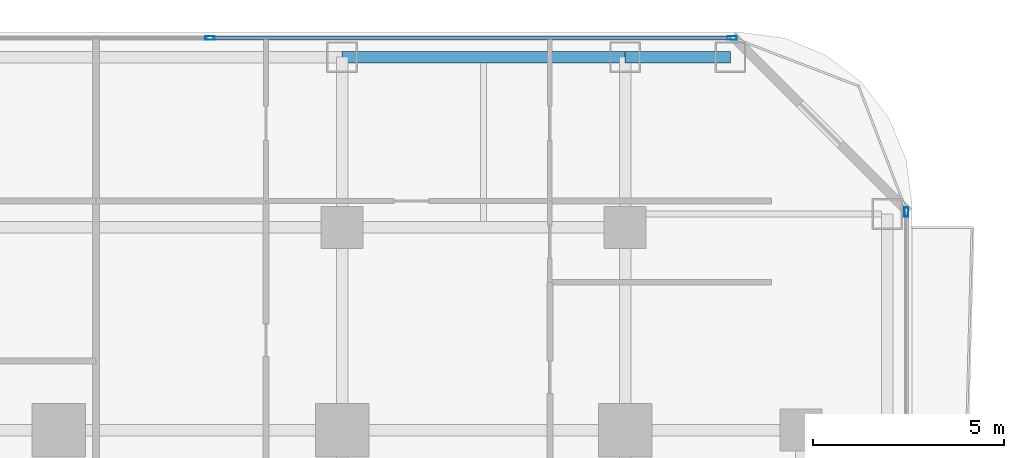
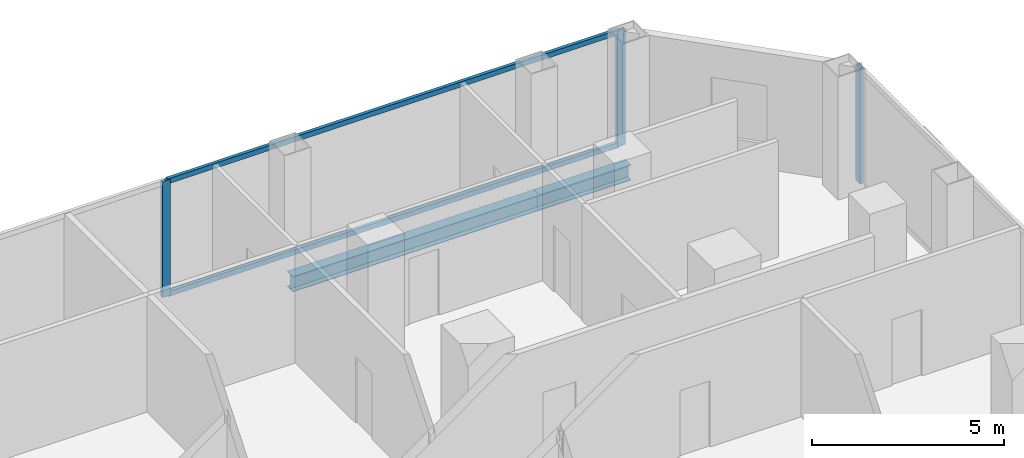
# One storey, part 17 of 30: 5 members, 2 beams, 2 elements without a shape of their own.
"""IFC4 building model written with IfcOpenShell, lengths in metres."""

from ifc_helpers import new_model, si_unit, direction, frame, origin, origin_2d, place, context, subcontext, project, spatial, hollow_rectangle, i_section, extrude, material, layer, layer_set, material_profile, profile_set, type_object, element, aggregate, save


model = new_model("IFC4")

# Units and contexts
model_context = context("Model", 3, precision=1e-05, world=origin(), true_north=direction((0.0, 1.0)))
body_context = subcontext(model_context, "Body", "Model", "MODEL_VIEW")
ifc_project = project(units=[si_unit("LENGTHUNIT", "METRE"), si_unit("AREAUNIT", "SQUARE_METRE"), si_unit("VOLUMEUNIT", "CUBIC_METRE"), si_unit("PLANEANGLEUNIT", "RADIAN"), si_unit("MASSUNIT", "GRAM", prefix="KILO")], contexts=[model_context])

# Site, building, storey
site_placement = place(None, origin())
site = spatial("IfcSite", under=ifc_project, at=site_placement, CompositionType="ELEMENT")
building_placement = place(site_placement, origin())
building = spatial("IfcBuilding", under=site, at=building_placement, Name="Khorvyn Point Tower", CompositionType="ELEMENT")
storey_placement = place(building_placement, frame((0.0, 0.0, 57.89990234375)))
storey = spatial("IfcBuildingStorey", under=building, at=storey_placement, Name="L15", CompositionType="ELEMENT", Elevation=57.89990234375)

# Curtain wall, members
ifc_material_1 = material(Name="Anodised aluminium 6063-T6 and laminated Low-E glass", Category="aluminium")
ifc_layer = layer(ifc_material_1, 0.18994140625)
ifc_layer_set = layer_set([ifc_layer], Name="Stick-Built Finned Residential Curtain Wall CW-SYS-02")
curtain_wall_type = type_object("IfcCurtainWallType", Name="Stick-Built Finned Residential Curtain Wall CW-SYS-02", PredefinedType="NOTDEFINED", material=ifc_layer_set)
curtain_wall_1_placement = place(storey_placement, origin())
curtain_wall_1 = element("IfcCurtainWall", 1, at=curtain_wall_1_placement, inside=storey, type_object=curtain_wall_type, Name="Curtain Wall", PredefinedType="NOTDEFINED")
ifc_material_2 = material(Name="Anodised aluminium 6063-T6", Category="aluminium")
ifc_material_profile_1 = material_profile(ifc_material_2, hollow_rectangle(XDim=0.10009765625, YDim=0.239990234375, WallThickness=0.0048828125, at=origin_2d()))
ifc_profile_set_1 = profile_set([ifc_material_profile_1], Name="Anodised aluminium 6063-T6 ALU-MUL-100x240")
member_type_1 = type_object("IfcMemberType", Name="Anodised Aluminium 6063-T6 Mullion ALU-MUL-100x240", PredefinedType="MULLION", material=ifc_profile_set_1)
member_1_placement = place(storey_placement, frame((3.949951171875, 25.050048828125, 0.0), z_axis=(0.0, 0.0, 1.0), x_axis=(0.0, 1.0, 0.0)))
member_1 = element("IfcMember", 2, at=member_1_placement, type_object=member_type_1, Name="Transom", PredefinedType="MULLION", context=body_context, shape_type="SweptSolid", body=[
    extrude(hollow_rectangle(XDim=0.10009765625, YDim=0.239990234375, WallThickness=0.0048828125, at=origin_2d()), origin(), (0.0, 0.0, 1.0), 3.68017578125),
])
member_2_placement = place(storey_placement, frame((17.60009765625, 25.050048828125, 0.0), z_axis=(0.0, 0.0, 1.0), x_axis=(0.0, 1.0, 0.0)))
member_2 = element("IfcMember", 3, at=member_2_placement, type_object=member_type_1, Name="Transom", PredefinedType="MULLION", context=body_context, shape_type="SweptSolid", body=[
    extrude(hollow_rectangle(XDim=0.10009765625, YDim=0.239990234375, WallThickness=0.0048828125, at=origin_2d()), origin(), (0.0, 0.0, 1.0), 3.68017578125),
])

# Curtain wall, member
curtain_wall_2_placement = place(storey_placement, origin())
curtain_wall_2 = element("IfcCurtainWall", 4, at=curtain_wall_2_placement, inside=storey, type_object=curtain_wall_type, Name="Curtain Wall", PredefinedType="NOTDEFINED")
member_3_placement = place(storey_placement, frame((22.14990234375, 20.5, 0.0), z_axis=(0.0, 0.0, 1.0), x_axis=(1.0, 0.0, 0.0)))
member_3 = element("IfcMember", 5, at=member_3_placement, type_object=member_type_1, Name="Transom", PredefinedType="MULLION", context=body_context, shape_type="SweptSolid", body=[
    extrude(hollow_rectangle(XDim=0.10009765625, YDim=0.239990234375, WallThickness=0.0048828125, at=origin_2d()), origin(), (0.0, 0.0, 1.0), 3.68017578125),
])
aggregate(curtain_wall_2, [member_3])

# Member
ifc_material_profile_2 = material_profile(ifc_material_2, hollow_rectangle(XDim=0.10009765625, YDim=0.159912109375, WallThickness=0.00439453125, at=origin_2d()))
ifc_profile_set_2 = profile_set([ifc_material_profile_2], Name="Anodised aluminium 6063-T6 ALU-TRN-100x160")
member_type_2 = type_object("IfcMemberType", Name="Anodised Aluminium 6063-T6 Transom ALU-TRN-100x160", PredefinedType="USERDEFINED", material=ifc_profile_set_2)
member_4_placement = place(storey_placement, frame((4.0, 25.050048828125, 0.050048828125), z_axis=(1.0, 0.0, 0.0), x_axis=(0.0, 1.0, 0.0)))
member_4 = element("IfcMember", 6, at=member_4_placement, type_object=member_type_2, Name="Transom", ObjectType="TRANSOM", PredefinedType="USERDEFINED", context=body_context, shape_type="SweptSolid", body=[
    extrude(hollow_rectangle(XDim=0.10009765625, YDim=0.159912109375, WallThickness=0.00439453125, at=origin_2d()), origin(), (0.0, 0.0, 1.0), 13.550048828125),
])

member_5_placement = place(storey_placement, frame((4.0, 25.050048828125, 3.630126953125), z_axis=(1.0, 0.0, 0.0), x_axis=(0.0, 1.0, 0.0)))
member_5 = element("IfcMember", 7, at=member_5_placement, type_object=member_type_2, Name="Transom", ObjectType="TRANSOM", PredefinedType="USERDEFINED", context=body_context, shape_type="SweptSolid", body=[
    extrude(hollow_rectangle(XDim=0.10009765625, YDim=0.159912109375, WallThickness=0.00439453125, at=origin_2d()), origin(), (0.0, 0.0, 1.0), 13.550048828125),
])

aggregate(curtain_wall_1, [member_1, member_2, member_4, member_5])

# Beams
ifc_material_3 = material(Name="Steel S355", Category="steel")
ifc_material_profile_3 = material_profile(ifc_material_3, i_section(OverallWidth=0.300048828125, OverallDepth=0.488037109375, WebThickness=0.010986328125, FlangeThickness=0.01806640625, at=origin_2d()))
ifc_profile_set_3 = profile_set([ifc_material_profile_3], Name="Steel S355 H488x300x11x18")
beam_type = type_object("IfcBeamType", Name="Steel S355 Spandrel H488x300x11x18", PredefinedType="SPANDREL", material=ifc_profile_set_3)
beam_1_placement = place(storey_placement, frame((7.39990234375, 24.550048828125, -0.4638671875), z_axis=(1.0, 0.0, 0.0), x_axis=(0.0, 1.0, 0.0)))
element("IfcBeam", 8, at=beam_1_placement, inside=storey, type_object=beam_type, Name="Beam", PredefinedType="SPANDREL", context=body_context, shape_type="SweptSolid", body=[
    extrude(i_section(OverallWidth=0.300048828125, OverallDepth=0.488037109375, WebThickness=0.010986328125, FlangeThickness=0.01806640625, at=origin_2d()), origin(), (0.0, 0.0, 1.0), 7.400146484375),
])
beam_2_placement = place(storey_placement, frame((14.800048828125, 24.550048828125, -0.4638671875), z_axis=(1.0, 0.0, 0.0), x_axis=(0.0, 1.0, 0.0)))
element("IfcBeam", 9, at=beam_2_placement, inside=storey, type_object=beam_type, Name="Beam", PredefinedType="SPANDREL", context=body_context, shape_type="SweptSolid", body=[
    extrude(i_section(OverallWidth=0.300048828125, OverallDepth=0.488037109375, WebThickness=0.010986328125, FlangeThickness=0.01806640625, at=origin_2d()), origin(), (0.0, 0.0, 1.0), 2.75),
])

save(model, "model.ifc")
